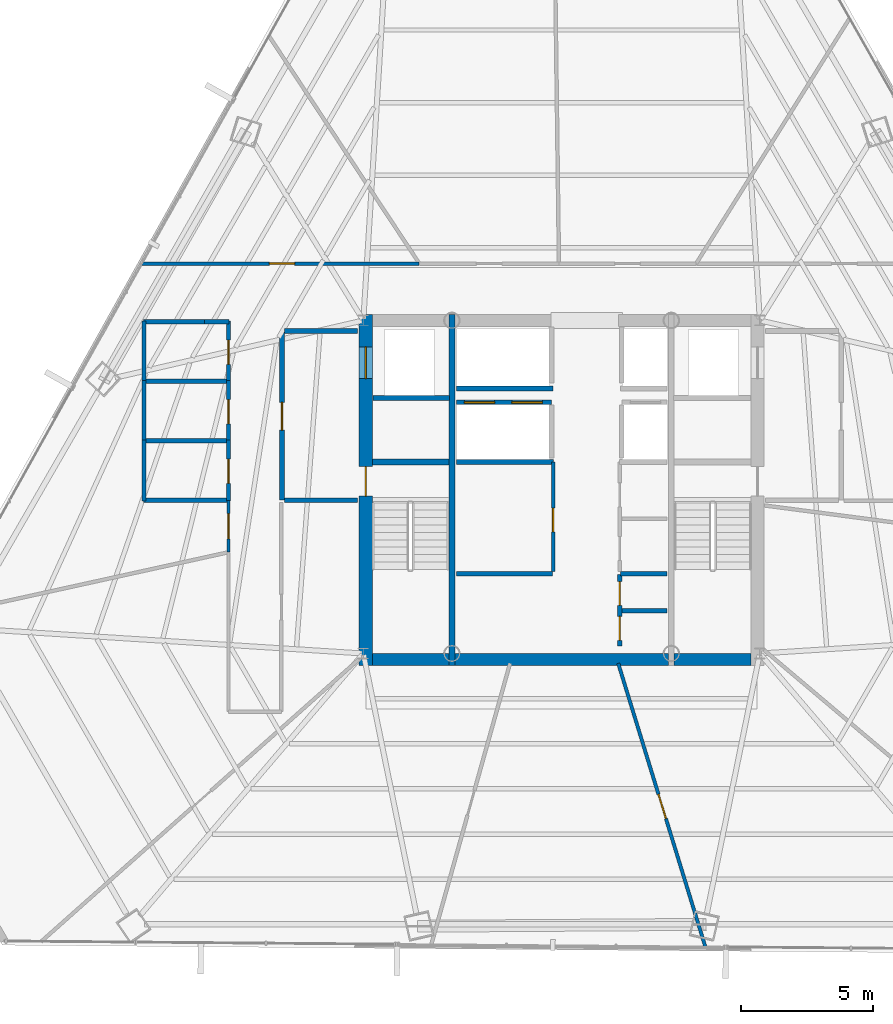
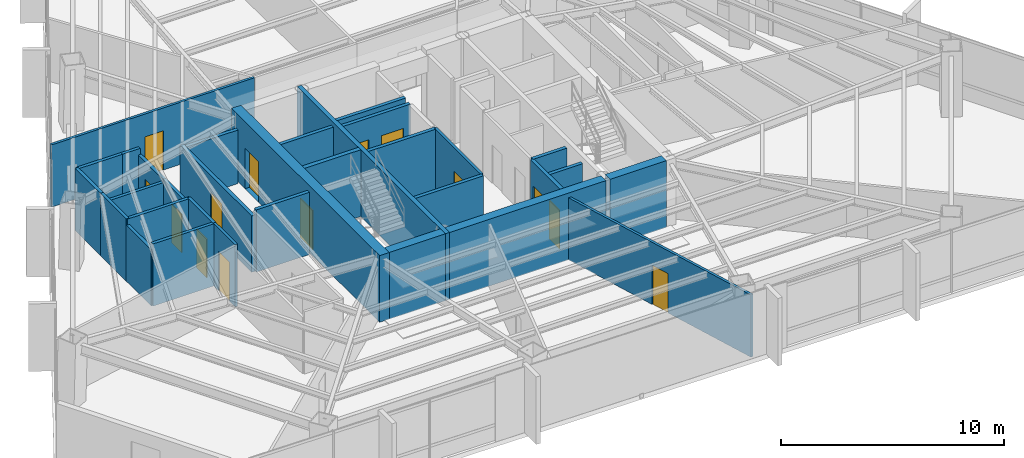
# One storey, part 34 of 39: 32 walls, 14 doors, 14 openings.
"""IFC4 building model written with IfcOpenShell, lengths in metres."""

from ifc_helpers import new_model, si_unit, direction, frame, frame_2d, origin, place, context, subcontext, project, spatial, rectangle, extrude, material, layer, layer_set, type_object, element, fill, save


model = new_model("IFC4")

# Units and contexts
model_context = context("Model", 3, precision=1e-05, world=origin(), true_north=direction((0.0, 1.0)))
body_context = subcontext(model_context, "Body", "Model", "MODEL_VIEW")
ifc_project = project(units=[si_unit("LENGTHUNIT", "METRE"), si_unit("AREAUNIT", "SQUARE_METRE"), si_unit("VOLUMEUNIT", "CUBIC_METRE"), si_unit("PLANEANGLEUNIT", "RADIAN"), si_unit("MASSUNIT", "GRAM", prefix="KILO")], contexts=[model_context])

# Site, building, storey
site_placement = place(None, origin())
site = spatial("IfcSite", under=ifc_project, at=site_placement, CompositionType="ELEMENT")
building_placement = place(site_placement, origin())
building = spatial("IfcBuilding", under=site, at=building_placement, Name="Caelisora Broadcast Tower", CompositionType="ELEMENT")
storey_placement = place(building_placement, frame((0.0, 0.0, 142.75)))
storey = spatial("IfcBuildingStorey", under=building, at=storey_placement, Name="L37", CompositionType="ELEMENT", Elevation=142.75)

# Wall, openings, doors
ifc_material_1 = material(Name="Concrete 50 MPa (AS 3600 S50)", Category="concrete")
ifc_layer_1 = layer(ifc_material_1, 0.5, Name="Concrete 50 MPa (AS 3600 S50)")
ifc_layer_set_1 = layer_set([ifc_layer_1], Name="Concrete 50 MPa (AS 3600 S50)")
wall_type_1 = type_object("IfcWallType", Name="CW2", PredefinedType="SHEAR", material=ifc_layer_set_1)
wall_1_placement = place(storey_placement, frame((30.590087890625, 16.949951171875, 0.0), z_axis=(0.0, 0.0, 1.0), x_axis=(0.0, 1.0, 0.0)))
wall_1 = element("IfcWall", 1, at=wall_1_placement, inside=storey, type_object=wall_type_1, Name="L37 core shear wall CW2", PredefinedType="SHEAR", context=body_context, shape_type="SweptSolid", body=[
    extrude(rectangle(XDim=13.275146484375, YDim=0.5, at=frame_2d((6.6376953125, 0.0))), origin(), (0.0, 0.0, 1.0), 3.64990234375),
])
opening_1_placement = place(wall_1_placement, frame((6.39990234375, 0.0, 0.0)))
opening_1 = element("IfcOpeningElement", 2, at=opening_1_placement, cuts=wall_1, Name="Opening FD04", PredefinedType="OPENING", context=body_context, shape_type="SweptSolid", body=[
    extrude(rectangle(XDim=1.1201171875, YDim=2.14990234375, at=frame_2d((0.56005859375, 1.074951171875))), frame((0.0, 0.261962890625, 0.0), z_axis=(0.0, -1.0, 0.0), x_axis=(1.0, 0.0, 0.0)), (0.0, 0.0, 1.0), 0.52392578125),
])
opening_2_placement = place(wall_1_placement, frame((10.85009765625, 0.0, 0.0)))
opening_2 = element("IfcOpeningElement", 3, at=opening_2_placement, cuts=wall_1, Name="Opening LD04", PredefinedType="OPENING", context=body_context, shape_type="SweptSolid", body=[
    extrude(rectangle(XDim=1.199951171875, YDim=2.199951171875, at=frame_2d((0.60009765625, 1.10009765625))), frame((0.0, 0.261962890625, 0.0), z_axis=(0.0, -1.0, 0.0), x_axis=(1.0, 0.0, 0.0)), (0.0, 0.0, 1.0), 0.52392578125),
])
ifc_material_2 = material(Name="Pressurised Fire-Isolated Stair Door", Category="steel")
door_type_1 = type_object("IfcDoorType", Name="FD04", OperationType="NOTDEFINED", PredefinedType="DOOR", material=ifc_material_2)
door_1_placement = place(opening_1_placement, origin())
door_1 = element("IfcDoor", 4, at=door_1_placement, inside=storey, type_object=door_type_1, Name="L37 door FD04 (L37-DR-ST1)", OperationType="SINGLE_SWING_LEFT", OverallHeight=2.14990234375, OverallWidth=1.1201171875, PredefinedType="DOOR", context=body_context, shape_type="SweptSolid", body=[
    extrude(rectangle(XDim=1.1201171875, YDim=2.14990234375, at=frame_2d((0.56005859375, 1.074951171875))), frame((0.0, 0.02490234375, 0.0), z_axis=(0.0, -1.0, 0.0), x_axis=(1.0, 0.0, 0.0)), (0.0, 0.0, 1.0), 0.050048828125),
])
fill(opening_1, door_1)
ifc_material_3 = material(Name="Emergency Firefighting Lift Sliding Landing Door", Category="steel")
door_type_2 = type_object("IfcDoorType", Name="LD04", OperationType="NOTDEFINED", PredefinedType="DOOR", material=ifc_material_3)
door_2_placement = place(opening_2_placement, origin())
door_2 = element("IfcDoor", 5, at=door_2_placement, inside=storey, type_object=door_type_2, Name="L37 door LD04 (L37-LD-FFL1)", OperationType="SLIDING_TO_LEFT", OverallHeight=2.199951171875, OverallWidth=1.199951171875, PredefinedType="DOOR", context=body_context, shape_type="SweptSolid", body=[
    extrude(rectangle(XDim=1.199951171875, YDim=2.199951171875, at=frame_2d((0.60009765625, 1.10009765625))), frame((0.0, 0.02490234375, 0.0), z_axis=(0.0, -1.0, 0.0), x_axis=(1.0, 0.0, 0.0)), (0.0, 0.0, 1.0), 0.050048828125),
])
fill(opening_2, door_2)

# Walls
ifc_layer_2 = layer(ifc_material_1, 0.449951171875, Name="Concrete 50 MPa (AS 3600 S50)")
ifc_layer_set_2 = layer_set([ifc_layer_2], Name="Concrete 50 MPa (AS 3600 S50)")
wall_type_2 = type_object("IfcWallType", Name="CW5", PredefinedType="SHEAR", material=ifc_layer_set_2)
wall_2_placement = place(storey_placement, frame((30.840087890625, 17.175048828125, 0.0), z_axis=(0.0, 0.0, 1.0), x_axis=(1.0, 0.0, 0.0)))
element("IfcWall", 6, at=wall_2_placement, inside=storey, type_object=wall_type_2, Name="L37 core shear wall CW5", PredefinedType="SHEAR", context=body_context, shape_type="SweptSolid", body=[
    extrude(rectangle(XDim=2.89990234375, YDim=0.449951171875, at=frame_2d((1.449951171875, 0.0))), origin(), (0.0, 0.0, 1.0), 3.64990234375),
])
wall_3_placement = place(storey_placement, frame((33.9599609375, 17.175048828125, 0.0), z_axis=(0.0, 0.0, 1.0), x_axis=(1.0, 0.0, 0.0)))
element("IfcWall", 7, at=wall_3_placement, inside=storey, type_object=wall_type_2, Name="L37 core shear wall CW5", PredefinedType="SHEAR", context=body_context, shape_type="SweptSolid", body=[
    extrude(rectangle(XDim=8.080078125, YDim=0.449951171875, at=frame_2d((4.0400390625, 0.0))), origin(), (0.0, 0.0, 1.0), 3.64990234375),
])
wall_4_placement = place(storey_placement, frame((42.260009765625, 17.175048828125, 0.0), z_axis=(0.0, 0.0, 1.0), x_axis=(1.0, 0.0, 0.0)))
element("IfcWall", 8, at=wall_4_placement, inside=storey, type_object=wall_type_2, Name="L37 core shear wall CW5", PredefinedType="SHEAR", context=body_context, shape_type="SweptSolid", body=[
    extrude(rectangle(XDim=2.89990234375, YDim=0.449951171875, at=frame_2d((1.449951171875, 0.0))), origin(), (0.0, 0.0, 1.0), 3.64990234375),
])
ifc_layer_3 = layer(ifc_material_1, 0.219970703125, Name="Concrete 50 MPa (AS 3600 S50)")
ifc_layer_set_3 = layer_set([ifc_layer_3], Name="Concrete 50 MPa (AS 3600 S50)")
wall_type_3 = type_object("IfcWallType", Name="CW7", PredefinedType="SHEAR", material=ifc_layer_set_3)
wall_5_placement = place(storey_placement, frame((33.85009765625, 16.949951171875, 0.0), z_axis=(0.0, 0.0, 1.0), x_axis=(0.0, 1.0, 0.0)))
element("IfcWall", 9, at=wall_5_placement, inside=storey, type_object=wall_type_3, Name="L37 core shear wall CW7", PredefinedType="SHEAR", context=body_context, shape_type="SweptSolid", body=[
    extrude(rectangle(XDim=13.275146484375, YDim=0.219970703125, at=frame_2d((6.6376953125, 0.0))), origin(), (0.0, 0.0, 1.0), 3.64990234375),
])
wall_6_placement = place(storey_placement, frame((30.840087890625, 24.639892578125, 0.0), z_axis=(0.0, 0.0, 1.0), x_axis=(1.0, 0.0, 0.0)))
element("IfcWall", 10, at=wall_6_placement, inside=storey, type_object=wall_type_3, Name="L37 core shear wall CW7", PredefinedType="SHEAR", context=body_context, shape_type="SweptSolid", body=[
    extrude(rectangle(XDim=2.89990234375, YDim=0.219970703125, at=frame_2d((1.449951171875, 0.0))), origin(), (0.0, 0.0, 1.0), 3.64990234375),
])

# Wall, openings, doors
ifc_material_4 = material(Name="Fire-Rated Gypsum Shaft and Compartment Wall", Category="gypsum")
ifc_layer_4 = layer(ifc_material_4, 0.179931640625, Name="Fire-Rated Gypsum Shaft and Compartment Wall")
ifc_layer_set_4 = layer_set([ifc_layer_4], Name="Fire-Rated Gypsum Shaft and Compartment Wall")
wall_type_4 = type_object("IfcWallType", Name="PW2", PredefinedType="PARTITIONING", material=ifc_layer_set_4)
wall_7_placement = place(storey_placement, frame((34.02001953125, 26.89990234375, 0.0), z_axis=(0.0, 0.0, 1.0), x_axis=(1.0, 0.0, 0.0)))
wall_7 = element("IfcWall", 11, at=wall_7_placement, inside=storey, type_object=wall_type_4, Name="L37 fire compartment wall PW2", PredefinedType="PARTITIONING", context=body_context, shape_type="SweptSolid", body=[
    extrude(rectangle(XDim=3.60009765625, YDim=0.179931640625, at=frame_2d((1.800048828125, 0.0))), origin(), (0.0, 0.0, 1.0), 3.39990234375),
])
opening_3_placement = place(wall_7_placement, frame((0.300048828125, 0.0, 0.0)))
opening_3 = element("IfcOpeningElement", 12, at=opening_3_placement, cuts=wall_7, Name="Opening LD02", PredefinedType="OPENING", context=body_context, shape_type="SweptSolid", body=[
    extrude(rectangle(XDim=1.14990234375, YDim=2.199951171875, at=frame_2d((0.574951171875, 1.10009765625))), frame((0.0, 0.10205078125, 0.0), z_axis=(0.0, -1.0, 0.0), x_axis=(1.0, 0.0, 0.0)), (0.0, 0.0, 1.0), 0.203857421875),
])
opening_4_placement = place(wall_7_placement, frame((2.10009765625, 0.0, 0.0)))
opening_4 = element("IfcOpeningElement", 13, at=opening_4_placement, cuts=wall_7, Name="Opening LD02", PredefinedType="OPENING", context=body_context, shape_type="SweptSolid", body=[
    extrude(rectangle(XDim=1.14990234375, YDim=2.199951171875, at=frame_2d((0.574951171875, 1.10009765625))), frame((0.0, 0.10205078125, 0.0), z_axis=(0.0, -1.0, 0.0), x_axis=(1.0, 0.0, 0.0)), (0.0, 0.0, 1.0), 0.203857421875),
])
ifc_material_5 = material(Name="High-Speed Express Lift Sliding Landing Door", Category="steel")
door_type_3 = type_object("IfcDoorType", Name="LD02", OperationType="NOTDEFINED", PredefinedType="DOOR", material=ifc_material_5)
door_3_placement = place(opening_3_placement, origin())
door_3 = element("IfcDoor", 14, at=door_3_placement, inside=storey, type_object=door_type_3, Name="L37 door LD02 (L37-LD-PLM1)", OperationType="SLIDING_TO_LEFT", OverallHeight=2.199951171875, OverallWidth=1.14990234375, PredefinedType="DOOR", context=body_context, shape_type="SweptSolid", body=[
    extrude(rectangle(XDim=1.14990234375, YDim=2.199951171875, at=frame_2d((0.574951171875, 1.10009765625))), frame((0.0, 0.02490234375, 0.0), z_axis=(0.0, -1.0, 0.0), x_axis=(1.0, 0.0, 0.0)), (0.0, 0.0, 1.0), 0.050048828125),
])
fill(opening_3, door_3)
door_4_placement = place(opening_4_placement, origin())
door_4 = element("IfcDoor", 15, at=door_4_placement, inside=storey, type_object=door_type_3, Name="L37 door LD02 (L37-LD-PLM2)", OperationType="SLIDING_TO_RIGHT", OverallHeight=2.199951171875, OverallWidth=1.14990234375, PredefinedType="DOOR", context=body_context, shape_type="SweptSolid", body=[
    extrude(rectangle(XDim=1.14990234375, YDim=2.199951171875, at=frame_2d((0.574951171875, 1.10009765625))), frame((0.0, 0.02490234375, 0.0), z_axis=(0.0, -1.0, 0.0), x_axis=(1.0, 0.0, 0.0)), (0.0, 0.0, 1.0), 0.050048828125),
])
fill(opening_4, door_4)

# Walls
wall_8_placement = place(storey_placement, frame((34.02001953125, 24.639892578125, 0.0), z_axis=(0.0, 0.0, 1.0), x_axis=(1.0, 0.0, 0.0)))
element("IfcWall", 16, at=wall_8_placement, inside=storey, type_object=wall_type_4, Name="L37 fire compartment wall PW2", PredefinedType="PARTITIONING", context=body_context, shape_type="SweptSolid", body=[
    extrude(rectangle(XDim=3.679931640625, YDim=0.179931640625, at=frame_2d((1.83984375, 0.0))), origin(), (0.0, 0.0, 1.0), 3.39990234375),
])
wall_9_placement = place(storey_placement, frame((34.02001953125, 27.419921875, 0.0), z_axis=(0.0, 0.0, 1.0), x_axis=(1.0, 0.0, 0.0)))
element("IfcWall", 17, at=wall_9_placement, inside=storey, type_object=wall_type_4, Name="L37 fire compartment wall PW2", PredefinedType="PARTITIONING", context=body_context, shape_type="SweptSolid", body=[
    extrude(rectangle(XDim=3.659912109375, YDim=0.179931640625, at=frame_2d((1.830078125, 0.0))), origin(), (0.0, 0.0, 1.0), 3.39990234375),
])

# Wall, opening, door
wall_10_placement = place(storey_placement, frame((27.419921875, 23.199951171875, 0.0), z_axis=(0.0, 0.0, 1.0), x_axis=(0.0, 1.0, 0.0)))
wall_10 = element("IfcWall", 18, at=wall_10_placement, inside=storey, type_object=wall_type_4, Name="L37 fire compartment wall PW2", PredefinedType="PARTITIONING", context=body_context, shape_type="SweptSolid", body=[
    extrude(rectangle(XDim=6.400146484375, YDim=0.179931640625, at=frame_2d((3.2001953125, 0.0))), origin(), (0.0, 0.0, 1.0), 3.077880859375),
])
opening_5_placement = place(wall_10_placement, frame((2.64990234375, 0.0, 0.0)))
opening_5 = element("IfcOpeningElement", 19, at=opening_5_placement, cuts=wall_10, Name="Opening FD02", PredefinedType="OPENING", context=body_context, shape_type="SweptSolid", body=[
    extrude(rectangle(XDim=1.050048828125, YDim=2.14990234375, at=frame_2d((0.52490234375, 1.074951171875))), frame((0.0, 0.10205078125, 0.0), z_axis=(0.0, -1.0, 0.0), x_axis=(1.0, 0.0, 0.0)), (0.0, 0.0, 1.0), 0.203857421875),
])
ifc_material_6 = material(Name="Single-Leaf Steel Fire Lobby Door", Category="steel")
door_type_4 = type_object("IfcDoorType", Name="FD02", OperationType="NOTDEFINED", PredefinedType="DOOR", material=ifc_material_6)
door_5_placement = place(opening_5_placement, origin())
door_5 = element("IfcDoor", 20, at=door_5_placement, inside=storey, type_object=door_type_4, Name="L37 door FD02 (L37-DR-P01D1)", OperationType="SINGLE_SWING_RIGHT", OverallHeight=2.14990234375, OverallWidth=1.050048828125, PredefinedType="DOOR", context=body_context, shape_type="SweptSolid", body=[
    extrude(rectangle(XDim=1.050048828125, YDim=2.14990234375, at=frame_2d((0.52490234375, 1.074951171875))), frame((0.0, 0.02490234375, 0.0), z_axis=(0.0, -1.0, 0.0), x_axis=(1.0, 0.0, 0.0)), (0.0, 0.0, 1.0), 0.050048828125),
])
fill(opening_5, door_5)

# Walls
wall_11_placement = place(storey_placement, frame((27.52001953125, 23.199951171875, 0.0), z_axis=(0.0, 0.0, 1.0), x_axis=(1.0, 0.0, 0.0)))
element("IfcWall", 21, at=wall_11_placement, inside=storey, type_object=wall_type_4, Name="L37 fire compartment wall PW2", PredefinedType="PARTITIONING", context=body_context, shape_type="SweptSolid", body=[
    extrude(rectangle(XDim=2.760009765625, YDim=0.179931640625, at=frame_2d((1.3798828125, 0.0))), origin(), (0.0, 0.0, 1.0), 3.39990234375),
])
wall_12_placement = place(storey_placement, frame((27.52001953125, 29.60009765625, 0.0), z_axis=(0.0, 0.0, 1.0), x_axis=(1.0, 0.0, 0.0)))
element("IfcWall", 22, at=wall_12_placement, inside=storey, type_object=wall_type_4, Name="L37 fire compartment wall PW2", PredefinedType="PARTITIONING", context=body_context, shape_type="SweptSolid", body=[
    extrude(rectangle(XDim=2.760009765625, YDim=0.179931640625, at=frame_2d((1.3798828125, 0.0))), origin(), (0.0, 0.0, 1.0), 2.924560546875),
])
wall_13_placement = place(storey_placement, frame((30.860107421875, 27.070068359375, 0.0), z_axis=(0.0, 0.0, 1.0), x_axis=(1.0, 0.0, 0.0)))
element("IfcWall", 23, at=wall_13_placement, inside=storey, type_object=wall_type_4, Name="L37 fire compartment wall PW2", PredefinedType="PARTITIONING", context=body_context, shape_type="SweptSolid", body=[
    extrude(rectangle(XDim=2.89990234375, YDim=0.179931640625, at=frame_2d((1.449951171875, 0.0))), origin(), (0.0, 0.0, 1.0), 3.39990234375),
])
wall_14_placement = place(storey_placement, frame((34.02001953125, 20.419921875, 0.0), z_axis=(0.0, 0.0, 1.0), x_axis=(1.0, 0.0, 0.0)))
element("IfcWall", 24, at=wall_14_placement, inside=storey, type_object=wall_type_4, Name="L37 fire compartment wall PW2", PredefinedType="PARTITIONING", context=body_context, shape_type="SweptSolid", body=[
    extrude(rectangle(XDim=3.639892578125, YDim=0.179931640625, at=frame_2d((1.81982421875, 0.0))), origin(), (0.0, 0.0, 1.0), 3.39990234375),
])
wall_15_placement = place(storey_placement, frame((40.219970703125, 20.419921875, 0.0), z_axis=(0.0, 0.0, 1.0), x_axis=(1.0, 0.0, 0.0)))
element("IfcWall", 25, at=wall_15_placement, inside=storey, type_object=wall_type_4, Name="L37 fire compartment wall PW2", PredefinedType="PARTITIONING", context=body_context, shape_type="SweptSolid", body=[
    extrude(rectangle(XDim=1.760009765625, YDim=0.179931640625, at=frame_2d((0.8798828125, 0.0))), origin(), (0.0, 0.0, 1.0), 3.39990234375),
])
wall_16_placement = place(storey_placement, frame((40.280029296875, 19.02001953125, 0.0), z_axis=(0.0, 0.0, 1.0), x_axis=(1.0, 0.0, 0.0)))
element("IfcWall", 26, at=wall_16_placement, inside=storey, type_object=wall_type_4, Name="L37 fire compartment wall PW2", PredefinedType="PARTITIONING", context=body_context, shape_type="SweptSolid", body=[
    extrude(rectangle(XDim=1.699951171875, YDim=0.179931640625, at=frame_2d((0.85009765625, 0.0))), origin(), (0.0, 0.0, 1.0), 3.39990234375),
])

# Wall, openings, doors
wall_17_placement = place(storey_placement, frame((40.199951171875, 17.679931640625, 0.0), z_axis=(0.0, 0.0, 1.0), x_axis=(0.0, 1.0, 0.0)))
wall_17 = element("IfcWall", 27, at=wall_17_placement, inside=storey, type_object=wall_type_4, Name="L37 fire compartment wall PW2", PredefinedType="PARTITIONING", context=body_context, shape_type="SweptSolid", body=[
    extrude(rectangle(XDim=2.699951171875, YDim=0.179931640625, at=frame_2d((1.35009765625, 0.0))), origin(), (0.0, 0.0, 1.0), 3.39990234375),
])
opening_6_placement = place(wall_17_placement, frame((0.219970703125, 0.0, 0.0)))
opening_6 = element("IfcOpeningElement", 28, at=opening_6_placement, cuts=wall_17, Name="Opening FD03", PredefinedType="OPENING", context=body_context, shape_type="SweptSolid", body=[
    extrude(rectangle(XDim=0.89990234375, YDim=2.10009765625, at=frame_2d((0.449951171875, 1.050048828125))), frame((0.0, 0.10205078125, 0.0), z_axis=(0.0, -1.0, 0.0), x_axis=(1.0, 0.0, 0.0)), (0.0, 0.0, 1.0), 0.203857421875),
])
opening_7_placement = place(wall_17_placement, frame((1.5400390625, 0.0, 0.0)))
opening_7 = element("IfcOpeningElement", 29, at=opening_7_placement, cuts=wall_17, Name="Opening FD03", PredefinedType="OPENING", context=body_context, shape_type="SweptSolid", body=[
    extrude(rectangle(XDim=0.89990234375, YDim=2.10009765625, at=frame_2d((0.449951171875, 1.050048828125))), frame((0.0, 0.10205078125, 0.0), z_axis=(0.0, -1.0, 0.0), x_axis=(1.0, 0.0, 0.0)), (0.0, 0.0, 1.0), 0.203857421875),
])
ifc_material_7 = material(Name="Single-Leaf Steel Riser Fire Access Door", Category="steel")
door_type_5 = type_object("IfcDoorType", Name="FD03", OperationType="NOTDEFINED", PredefinedType="DOOR", material=ifc_material_7)
door_6_placement = place(opening_6_placement, origin())
door_6 = element("IfcDoor", 30, at=door_6_placement, inside=storey, type_object=door_type_5, Name="L37 door FD03 (L37-DR-P15D1)", OperationType="SINGLE_SWING_LEFT", OverallHeight=2.10009765625, OverallWidth=0.89990234375, PredefinedType="DOOR", context=body_context, shape_type="SweptSolid", body=[
    extrude(rectangle(XDim=0.89990234375, YDim=2.10009765625, at=frame_2d((0.449951171875, 1.050048828125))), frame((0.0, 0.02490234375, 0.0), z_axis=(0.0, -1.0, 0.0), x_axis=(1.0, 0.0, 0.0)), (0.0, 0.0, 1.0), 0.050048828125),
])
fill(opening_6, door_6)
door_7_placement = place(opening_7_placement, origin())
door_7 = element("IfcDoor", 31, at=door_7_placement, inside=storey, type_object=door_type_5, Name="L37 door FD03 (L37-DR-P15D2)", OperationType="SINGLE_SWING_RIGHT", OverallHeight=2.10009765625, OverallWidth=0.89990234375, PredefinedType="DOOR", context=body_context, shape_type="SweptSolid", body=[
    extrude(rectangle(XDim=0.89990234375, YDim=2.10009765625, at=frame_2d((0.449951171875, 1.050048828125))), frame((0.0, 0.02490234375, 0.0), z_axis=(0.0, -1.0, 0.0), x_axis=(1.0, 0.0, 0.0)), (0.0, 0.0, 1.0), 0.050048828125),
])
fill(opening_7, door_7)

# Wall, opening, door
ifc_material_8 = material(Name="Acoustic Steel-Stud Plasterboard Partition", Category="gypsum")
ifc_layer_5 = layer(ifc_material_8, 0.1298828125, Name="Acoustic Steel-Stud Plasterboard Partition")
ifc_layer_set_5 = layer_set([ifc_layer_5], Name="Acoustic Steel-Stud Plasterboard Partition")
wall_type_5 = type_object("IfcWallType", Name="PW3", PredefinedType="PARTITIONING", material=ifc_layer_set_5)
wall_18_placement = place(storey_placement, frame((37.679931640625, 20.5, 0.0), z_axis=(0.0, 0.0, 1.0), x_axis=(0.0, 1.0, 0.0)))
wall_18 = element("IfcWall", 32, at=wall_18_placement, inside=storey, type_object=wall_type_5, Name="L37 internal partition PW3", PredefinedType="PARTITIONING", context=body_context, shape_type="SweptSolid", body=[
    extrude(rectangle(XDim=4.139892578125, YDim=0.1298828125, at=frame_2d((2.06982421875, 0.0))), origin(), (0.0, 0.0, 1.0), 3.39990234375),
])
opening_8_placement = place(wall_18_placement, frame((1.5, 0.0, 0.0)))
opening_8 = element("IfcOpeningElement", 33, at=opening_8_placement, cuts=wall_18, Name="Opening FD03", PredefinedType="OPENING", context=body_context, shape_type="SweptSolid", body=[
    extrude(rectangle(XDim=0.89990234375, YDim=2.10009765625, at=frame_2d((0.449951171875, 1.050048828125))), frame((0.0, 0.076904296875, 0.0), z_axis=(0.0, -1.0, 0.0), x_axis=(1.0, 0.0, 0.0)), (0.0, 0.0, 1.0), 0.15380859375),
])
door_8_placement = place(opening_8_placement, origin())
door_8 = element("IfcDoor", 34, at=door_8_placement, inside=storey, type_object=door_type_5, Name="L37 door FD03 (L37-DR-P12D1)", OperationType="SINGLE_SWING_RIGHT", OverallHeight=2.10009765625, OverallWidth=0.89990234375, PredefinedType="DOOR", context=body_context, shape_type="SweptSolid", body=[
    extrude(rectangle(XDim=0.89990234375, YDim=2.10009765625, at=frame_2d((0.449951171875, 1.050048828125))), frame((0.0, 0.02490234375, 0.0), z_axis=(0.0, -1.0, 0.0), x_axis=(1.0, 0.0, 0.0)), (0.0, 0.0, 1.0), 0.050048828125),
])
fill(opening_8, door_8)

wall_19_placement = place(storey_placement, frame((40.14208984375, 17.028076171875, 0.0), z_axis=(0.0, 0.0, 1.0), x_axis=(0.293775711931, -0.955874380387, 0.0)))
wall_19 = element("IfcWall", 35, at=wall_19_placement, inside=storey, type_object=wall_type_5, Name="L37 internal partition PW3", PredefinedType="PARTITIONING", context=body_context, shape_type="SweptSolid", body=[
    extrude(rectangle(XDim=11.22998046875, YDim=0.1298828125, at=frame_2d((5.614990234375, 0.0))), origin(), (0.0, 0.0, 1.0), 3.39990234375),
])
opening_9_placement = place(wall_19_placement, frame((5.18408203125, 0.0, 0.0)))
opening_9 = element("IfcOpeningElement", 36, at=opening_9_placement, cuts=wall_19, Name="Opening D01", PredefinedType="OPENING", context=body_context, shape_type="SweptSolid", body=[
    extrude(rectangle(XDim=0.9599609375, YDim=2.14990234375, at=frame_2d((0.47998046875, 1.074951171875))), frame((0.0, 0.076904296875, 0.0), z_axis=(0.0, -1.0, 0.0), x_axis=(1.0, 0.0, 0.0)), (0.0, 0.0, 1.0), 0.15380859375),
])
ifc_material_9 = material(Name="Solid-Core Timber Acoustic Office Door", Category="wood")
door_type_6 = type_object("IfcDoorType", Name="D01", OperationType="NOTDEFINED", PredefinedType="DOOR", material=ifc_material_9)
door_9_placement = place(opening_9_placement, origin())
door_9 = element("IfcDoor", 37, at=door_9_placement, inside=storey, type_object=door_type_6, Name="L37 door D01 (L37-DR-P31D1)", OperationType="SINGLE_SWING_RIGHT", OverallHeight=2.14990234375, OverallWidth=0.9599609375, PredefinedType="DOOR", context=body_context, shape_type="SweptSolid", body=[
    extrude(rectangle(XDim=0.9599609375, YDim=2.14990234375, at=frame_2d((0.47998046875, 1.074951171875))), frame((0.0, 0.02490234375, 0.0), z_axis=(0.0, -1.0, 0.0), x_axis=(1.0, 0.0, 0.0)), (0.0, 0.0, 1.0), 0.050048828125),
])
fill(opening_9, door_9)

wall_20_placement = place(storey_placement, frame((22.119873046875, 32.14990234375, 0.0), z_axis=(0.0, 0.0, 1.0), x_axis=(1.0, 0.0, 0.0)))
wall_20 = element("IfcWall", 38, at=wall_20_placement, inside=storey, type_object=wall_type_5, Name="L37 internal partition PW3", PredefinedType="PARTITIONING", context=body_context, shape_type="SweptSolid", body=[
    extrude(rectangle(XDim=10.4951171875, YDim=0.1298828125, at=frame_2d((5.24755859375, 0.0))), origin(), (0.0, 0.0, 1.0), 3.39990234375),
])
opening_10_placement = place(wall_20_placement, frame((4.822021484375, 0.0, 0.0)))
opening_10 = element("IfcOpeningElement", 39, at=opening_10_placement, cuts=wall_20, Name="Opening D01", PredefinedType="OPENING", context=body_context, shape_type="SweptSolid", body=[
    extrude(rectangle(XDim=0.9599609375, YDim=2.14990234375, at=frame_2d((0.47998046875, 1.074951171875))), frame((0.0, 0.076904296875, 0.0), z_axis=(0.0, -1.0, 0.0), x_axis=(1.0, 0.0, 0.0)), (0.0, 0.0, 1.0), 0.15380859375),
])
door_10_placement = place(opening_10_placement, origin())
door_10 = element("IfcDoor", 40, at=door_10_placement, inside=storey, type_object=door_type_6, Name="L37 door D01 (L37-DR-P36D1)", OperationType="SINGLE_SWING_LEFT", OverallHeight=2.14990234375, OverallWidth=0.9599609375, PredefinedType="DOOR", context=body_context, shape_type="SweptSolid", body=[
    extrude(rectangle(XDim=0.9599609375, YDim=2.14990234375, at=frame_2d((0.47998046875, 1.074951171875))), frame((0.0, 0.02490234375, 0.0), z_axis=(0.0, -1.0, 0.0), x_axis=(1.0, 0.0, 0.0)), (0.0, 0.0, 1.0), 0.050048828125),
])
fill(opening_10, door_10)

wall_21_placement = place(storey_placement, frame((25.39990234375, 21.235107421875, 0.0), z_axis=(0.0, 0.0, 1.0), x_axis=(0.0, 1.0, 0.0)))
wall_21 = element("IfcWall", 41, at=wall_21_placement, inside=storey, type_object=wall_type_5, Name="L37 internal partition PW3", PredefinedType="PARTITIONING", context=body_context, shape_type="SweptSolid", body=[
    extrude(rectangle(XDim=1.9599609375, YDim=0.1298828125, at=frame_2d((0.97998046875, 0.0))), origin(), (0.0, 0.0, 1.0), 3.39990234375),
])
opening_11_placement = place(wall_21_placement, frame((0.5, 0.0, 0.0)))
opening_11 = element("IfcOpeningElement", 42, at=opening_11_placement, cuts=wall_21, Name="Opening D01", PredefinedType="OPENING", context=body_context, shape_type="SweptSolid", body=[
    extrude(rectangle(XDim=0.9599609375, YDim=2.14990234375, at=frame_2d((0.47998046875, 1.074951171875))), frame((0.0, 0.076904296875, 0.0), z_axis=(0.0, -1.0, 0.0), x_axis=(1.0, 0.0, 0.0)), (0.0, 0.0, 1.0), 0.15380859375),
])
door_11_placement = place(opening_11_placement, origin())
door_11 = element("IfcDoor", 43, at=door_11_placement, inside=storey, type_object=door_type_6, Name="L37 door D01 (L37-DR-P48D1)", OperationType="SINGLE_SWING_RIGHT", OverallHeight=2.14990234375, OverallWidth=0.9599609375, PredefinedType="DOOR", context=body_context, shape_type="SweptSolid", body=[
    extrude(rectangle(XDim=0.9599609375, YDim=2.14990234375, at=frame_2d((0.47998046875, 1.074951171875))), frame((0.0, 0.02490234375, 0.0), z_axis=(0.0, -1.0, 0.0), x_axis=(1.0, 0.0, 0.0)), (0.0, 0.0, 1.0), 0.050048828125),
])
fill(opening_11, door_11)

# Walls
ifc_material_10 = material(Name="Moisture-Resistant Wet Plumbing Service Wall", Category="gypsum")
ifc_layer_6 = layer(ifc_material_10, 0.159912109375, Name="Moisture-Resistant Wet Plumbing Service Wall")
ifc_layer_set_6 = layer_set([ifc_layer_6], Name="Moisture-Resistant Wet Plumbing Service Wall")
wall_type_6 = type_object("IfcWallType", Name="PW4", PredefinedType="PLUMBINGWALL", material=ifc_layer_set_6)
for number, where, z_axis, x_axis, name in (
    (44, (22.175048828125, 23.199951171875, 0.0), (0.0, 0.0, 1.0), (1.0, 0.0, 0.0), "L37 wet plumbing wall PW4"),
    (45, (22.175048828125, 25.449951171875, 0.0), (0.0, 0.0, 1.0), (1.0, 0.0, 0.0), "L37 wet plumbing wall PW4"),
):
    element("IfcWall", number, at=place(storey_placement, frame(where, z_axis=z_axis, x_axis=x_axis)), inside=storey, type_object=wall_type_6, Name=name, PredefinedType="PLUMBINGWALL", context=body_context, shape_type="SweptSolid", body=[
        extrude(rectangle(XDim=3.25, YDim=0.159912109375, at=frame_2d((1.625, 0.0))), origin(), (0.0, 0.0, 1.0), 3.39990234375),
    ])
wall_22_placement = place(storey_placement, frame((22.175048828125, 27.699951171875, 0.0), z_axis=(0.0, 0.0, 1.0), x_axis=(1.0, 0.0, 0.0)))
element("IfcWall", 46, at=wall_22_placement, inside=storey, type_object=wall_type_6, Name="L37 wet plumbing wall PW4", PredefinedType="PLUMBINGWALL", context=body_context, shape_type="SweptSolid", body=[
    extrude(rectangle(XDim=3.25, YDim=0.159912109375, at=frame_2d((1.625, 0.0))), origin(), (0.0, 0.0, 1.0), 2.924560546875),
])
wall_23_placement = place(storey_placement, frame((22.175048828125, 29.949951171875, 0.0), z_axis=(0.0, 0.0, 1.0), x_axis=(1.0, 0.0, 0.0)))
element("IfcWall", 47, at=wall_23_placement, inside=storey, type_object=wall_type_6, Name="L37 wet plumbing wall PW4", PredefinedType="PLUMBINGWALL", context=body_context, shape_type="SweptSolid", body=[
    extrude(rectangle(XDim=2.369873046875, YDim=0.159912109375, at=frame_2d((1.18505859375, 0.0))), origin(), (0.0, 0.0, 1.0), 3.39990234375),
])

# Wall, opening, door
wall_24_placement = place(storey_placement, frame((25.39990234375, 23.175048828125, 0.0), z_axis=(0.0, 0.0, 1.0), x_axis=(0.0, 1.0, 0.0)))
wall_24 = element("IfcWall", 48, at=wall_24_placement, inside=storey, type_object=wall_type_6, Name="L37 wet plumbing wall PW4", PredefinedType="PLUMBINGWALL", context=body_context, shape_type="SweptSolid", body=[
    extrude(rectangle(XDim=2.300048828125, YDim=0.159912109375, at=frame_2d((1.14990234375, 0.0))), origin(), (0.0, 0.0, 1.0), 3.39990234375),
])
opening_12_placement = place(wall_24_placement, frame((0.659912109375, 0.0, 0.0)))
opening_12 = element("IfcOpeningElement", 49, at=opening_12_placement, cuts=wall_24, Name="Opening D03", PredefinedType="OPENING", context=body_context, shape_type="SweptSolid", body=[
    extrude(rectangle(XDim=0.919921875, YDim=2.10009765625, at=frame_2d((0.4599609375, 1.050048828125))), frame((0.0, 0.092041015625, 0.0), z_axis=(0.0, -1.0, 0.0), x_axis=(1.0, 0.0, 0.0)), (0.0, 0.0, 1.0), 0.183837890625),
])
ifc_material_11 = material(Name="Laminate Moisture-Resistant Amenity WC Door", Category="wood")
door_type_7 = type_object("IfcDoorType", Name="D03", OperationType="NOTDEFINED", PredefinedType="DOOR", material=ifc_material_11)
door_12_placement = place(opening_12_placement, origin())
door_12 = element("IfcDoor", 50, at=door_12_placement, inside=storey, type_object=door_type_7, Name="L37 door D03 (L37-DR-P20D1)", OperationType="SINGLE_SWING_LEFT", OverallHeight=2.10009765625, OverallWidth=0.919921875, PredefinedType="DOOR", context=body_context, shape_type="SweptSolid", body=[
    extrude(rectangle(XDim=0.919921875, YDim=2.10009765625, at=frame_2d((0.4599609375, 1.050048828125))), frame((0.0, 0.02490234375, 0.0), z_axis=(0.0, -1.0, 0.0), x_axis=(1.0, 0.0, 0.0)), (0.0, 0.0, 1.0), 0.050048828125),
])
fill(opening_12, door_12)

wall_25_placement = place(storey_placement, frame((25.39990234375, 25.425048828125, 0.0), z_axis=(0.0, 0.0, 1.0), x_axis=(0.0, 1.0, 0.0)))
wall_25 = element("IfcWall", 51, at=wall_25_placement, inside=storey, type_object=wall_type_6, Name="L37 wet plumbing wall PW4", PredefinedType="PLUMBINGWALL", context=body_context, shape_type="SweptSolid", body=[
    extrude(rectangle(XDim=2.300048828125, YDim=0.159912109375, at=frame_2d((1.14990234375, 0.0))), origin(), (0.0, 0.0, 1.0), 3.077880859375),
])
opening_13_placement = place(wall_25_placement, frame((0.659912109375, 0.0, 0.0)))
opening_13 = element("IfcOpeningElement", 52, at=opening_13_placement, cuts=wall_25, Name="Opening D03", PredefinedType="OPENING", context=body_context, shape_type="SweptSolid", body=[
    extrude(rectangle(XDim=0.919921875, YDim=2.10009765625, at=frame_2d((0.4599609375, 1.050048828125))), frame((0.0, 0.092041015625, 0.0), z_axis=(0.0, -1.0, 0.0), x_axis=(1.0, 0.0, 0.0)), (0.0, 0.0, 1.0), 0.183837890625),
])
door_13_placement = place(opening_13_placement, origin())
door_13 = element("IfcDoor", 53, at=door_13_placement, inside=storey, type_object=door_type_7, Name="L37 door D03 (L37-DR-P21D1)", OperationType="SINGLE_SWING_RIGHT", OverallHeight=2.10009765625, OverallWidth=0.919921875, PredefinedType="DOOR", context=body_context, shape_type="SweptSolid", body=[
    extrude(rectangle(XDim=0.919921875, YDim=2.10009765625, at=frame_2d((0.4599609375, 1.050048828125))), frame((0.0, 0.02490234375, 0.0), z_axis=(0.0, -1.0, 0.0), x_axis=(1.0, 0.0, 0.0)), (0.0, 0.0, 1.0), 0.050048828125),
])
fill(opening_13, door_13)

wall_26_placement = place(storey_placement, frame((25.39990234375, 27.675048828125, 0.0), z_axis=(0.0, 0.0, 1.0), x_axis=(0.0, 1.0, 0.0)))
wall_26 = element("IfcWall", 54, at=wall_26_placement, inside=storey, type_object=wall_type_6, Name="L37 wet plumbing wall PW4", PredefinedType="PLUMBINGWALL", context=body_context, shape_type="SweptSolid", body=[
    extrude(rectangle(XDim=2.300048828125, YDim=0.159912109375, at=frame_2d((1.14990234375, 0.0))), origin(), (0.0, 0.0, 1.0), 3.077880859375),
])
opening_14_placement = place(wall_26_placement, frame((0.659912109375, 0.0, 0.0)))
opening_14 = element("IfcOpeningElement", 55, at=opening_14_placement, cuts=wall_26, Name="Opening D03", PredefinedType="OPENING", context=body_context, shape_type="SweptSolid", body=[
    extrude(rectangle(XDim=0.919921875, YDim=2.10009765625, at=frame_2d((0.4599609375, 1.050048828125))), frame((0.0, 0.092041015625, 0.0), z_axis=(0.0, -1.0, 0.0), x_axis=(1.0, 0.0, 0.0)), (0.0, 0.0, 1.0), 0.183837890625),
])
door_14_placement = place(opening_14_placement, origin())
door_14 = element("IfcDoor", 56, at=door_14_placement, inside=storey, type_object=door_type_7, Name="L37 door D03 (L37-DR-P22D1)", OperationType="SINGLE_SWING_LEFT", OverallHeight=2.10009765625, OverallWidth=0.919921875, PredefinedType="DOOR", context=body_context, shape_type="SweptSolid", body=[
    extrude(rectangle(XDim=0.919921875, YDim=2.10009765625, at=frame_2d((0.4599609375, 1.050048828125))), frame((0.0, 0.02490234375, 0.0), z_axis=(0.0, -1.0, 0.0), x_axis=(1.0, 0.0, 0.0)), (0.0, 0.0, 1.0), 0.050048828125),
])
fill(opening_14, door_14)

# Walls
wall_27_placement = place(storey_placement, frame((22.199951171875, 25.47509765625, 0.0), z_axis=(0.0, 0.0, 1.0), x_axis=(0.0, -1.0, 0.0)))
element("IfcWall", 57, at=wall_27_placement, inside=storey, type_object=wall_type_6, Name="L37 wet plumbing wall PW4", PredefinedType="PLUMBINGWALL", context=body_context, shape_type="SweptSolid", body=[
    extrude(rectangle(XDim=2.300048828125, YDim=0.159912109375, at=frame_2d((1.14990234375, 0.0))), origin(), (0.0, 0.0, 1.0), 3.077880859375),
])
for number, where, z_axis, x_axis, name in (
    (58, (22.199951171875, 25.425048828125, 0.0), (0.0, 0.0, 1.0), (0.0, 1.0, 0.0), "L37 wet plumbing wall PW4"),
    (59, (22.199951171875, 27.675048828125, 0.0), (0.0, 0.0, 1.0), (0.0, 1.0, 0.0), "L37 wet plumbing wall PW4"),
):
    element("IfcWall", number, at=place(storey_placement, frame(where, z_axis=z_axis, x_axis=x_axis)), inside=storey, type_object=wall_type_6, Name=name, PredefinedType="PLUMBINGWALL", context=body_context, shape_type="SweptSolid", body=[
        extrude(rectangle(XDim=2.300048828125, YDim=0.159912109375, at=frame_2d((1.14990234375, 0.0))), origin(), (0.0, 0.0, 1.0), 3.39990234375),
    ])
wall_28_placement = place(storey_placement, frame((24.4951171875, 29.949951171875, 0.0), z_axis=(0.0, 0.0, 1.0), x_axis=(1.0, 0.0, 0.0)))
element("IfcWall", 60, at=wall_28_placement, inside=storey, type_object=wall_type_6, Name="L37 wet plumbing wall PW4", PredefinedType="PLUMBINGWALL", context=body_context, shape_type="SweptSolid", body=[
    extrude(rectangle(XDim=0.929931640625, YDim=0.159912109375, at=frame_2d((0.46484375, 0.0))), origin(), (0.0, 0.0, 1.0), 3.39990234375),
])

save(model, "model.ifc")
